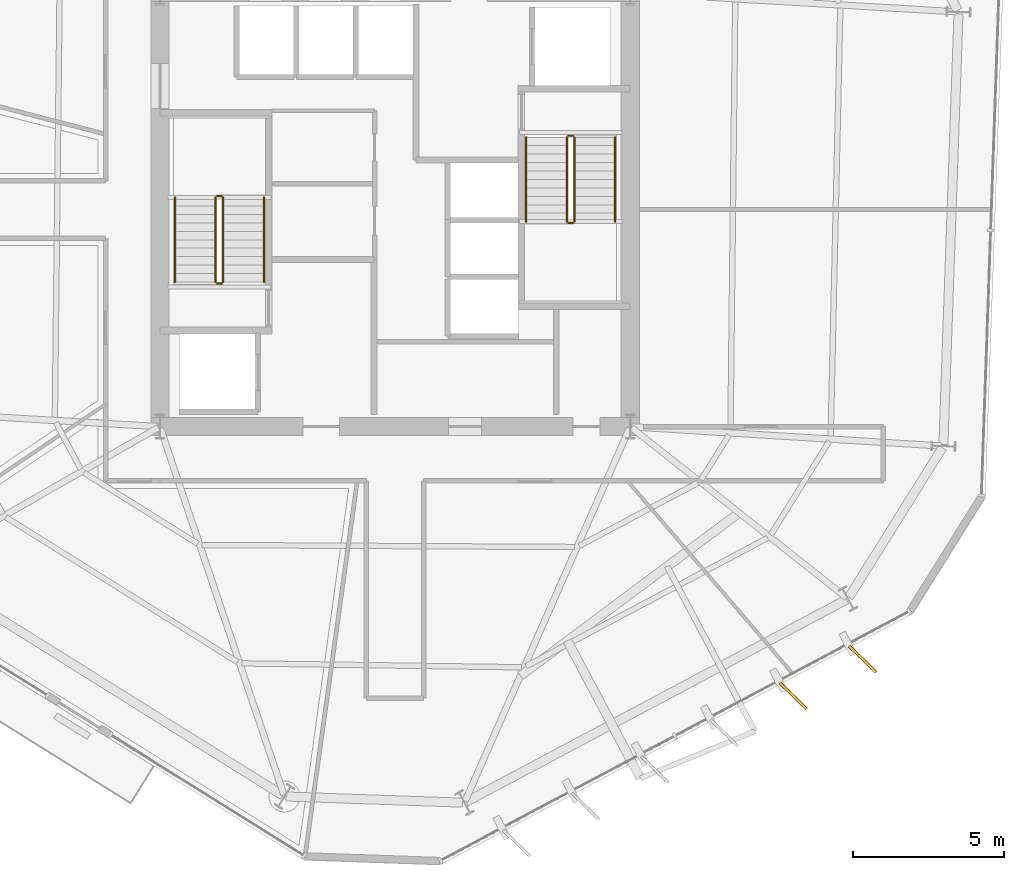
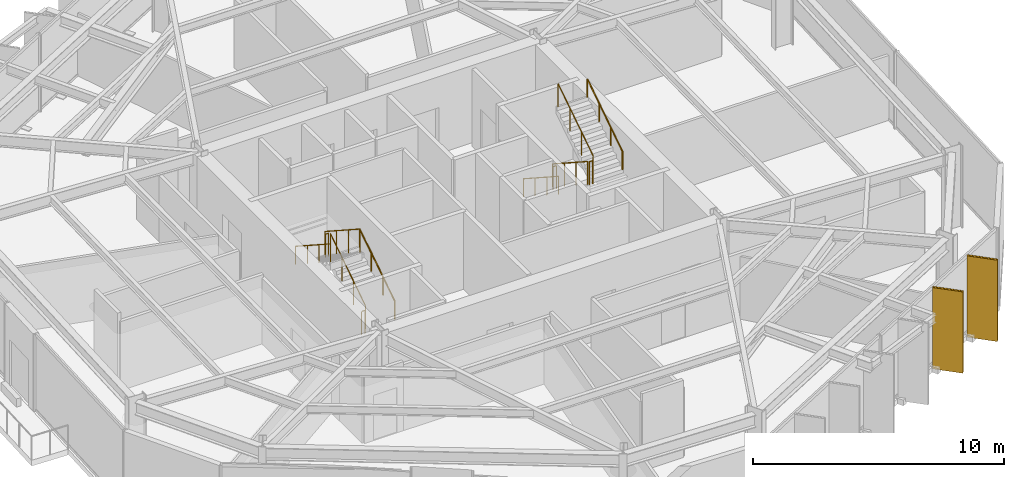
# One storey, part 11 of 12: 12 railings, 2 coverings, 2 shading devices.
"""IFC4 building model written with IfcOpenShell, lengths in metres."""

import ifcopenshell
import ifcopenshell.guid

model = None  # the IFC model being written
_history = None  # IfcOwnerHistory: only IFC2X3 demands one
_inside = {}  # id of a spatial element -> (the spatial element, [elements in it])
_under = {}  # id of a project, library or spatial element -> (it, [spatial elements below it])
_declared = {}  # id of a project -> (the project, [libraries it declares])
_typed = {}  # id of a type object -> (the type object, [elements of that type])
_made_of = {}  # id of a material, layer set ... -> (it, [elements and type objects made of it])


def new_model(schema):
    """Start an empty IFC model of exactly this schema.

    Asked for "IFC4X3", IfcOpenShell would pick the latest addendum, in which some entities
    have other attributes; the version numbers below select the first issue.
    IFC2X3 requires an IfcOwnerHistory on every rooted entity: one is made here for all.
    """
    global model, _history
    if schema == "IFC4X3":
        model = ifcopenshell.file(schema_version=(4, 3, 0, 0))
    else:
        model = ifcopenshell.file(schema=schema)
    _inside.clear()
    _under.clear()
    _declared.clear()
    _typed.clear()
    _made_of.clear()
    _history = None
    if model.schema == "IFC2X3":
        org = make("IfcOrganization", Name="unknown")
        user = make(
            "IfcPersonAndOrganization",
            ThePerson=make("IfcPerson", FamilyName="unknown"),
            TheOrganization=org,
        )
        app = make(
            "IfcApplication",
            ApplicationDeveloper=org,
            Version="unknown",
            ApplicationFullName="unknown",
            ApplicationIdentifier="unknown",
        )
        _history = make(
            "IfcOwnerHistory",
            OwningUser=user,
            OwningApplication=app,
            ChangeAction="ADDED",
            CreationDate=0,
        )
    return model


def make(cls, **values):
    """One entity of the class cls with the attributes given. An attribute that is None is left unset."""
    return model.create_entity(
        cls, **{name: value for name, value in values.items() if value is not None}
    )


def rooted(cls, **values):
    """An entity with a GlobalId (a new one), such as an element, a storey or a relation."""
    return make(cls, GlobalId=ifcopenshell.guid.new(), OwnerHistory=_history, **values)


def si_unit(unit_type, name, prefix=None):
    """IfcSIUnit, for example si_unit("LENGTHUNIT", "METRE", prefix="MILLI")."""
    return make("IfcSIUnit", UnitType=unit_type, Prefix=prefix, Name=name)


def assignment(units):
    """IfcUnitAssignment: the units of a project."""
    return None if units is None else make("IfcUnitAssignment", Units=units)


def point(xyz):
    """IfcCartesianPoint."""
    return None if xyz is None else make("IfcCartesianPoint", Coordinates=xyz)


def direction(xyz):
    """IfcDirection."""
    return None if xyz is None else make("IfcDirection", DirectionRatios=xyz)


def frame(location, z_axis=None, x_axis=None):
    """IfcAxis2Placement3D, a coordinate frame: its origin and axes. An axis left out is left unset."""
    return make(
        "IfcAxis2Placement3D",
        Location=point(location),
        Axis=direction(z_axis),
        RefDirection=direction(x_axis),
    )


def frame_2d(location, x_axis=None):
    """IfcAxis2Placement2D, a coordinate frame in the plane: its origin and x axis."""
    return make(
        "IfcAxis2Placement2D", Location=point(location), RefDirection=direction(x_axis)
    )


def origin():
    """The frame at (0, 0, 0) with its axes left unset."""
    return frame((0.0, 0.0, 0.0))


def origin_2d():
    """The frame at (0, 0) in the plane with its x axis left unset."""
    return frame_2d((0.0, 0.0))


def place(relative_to, where):
    """IfcLocalPlacement: puts the frame where relative to a parent placement (None: the world)."""
    return make(
        "IfcLocalPlacement", PlacementRelTo=relative_to, RelativePlacement=where
    )


def context(
    kind, dimensions, precision=None, world=None, true_north=None, identifier=None
):
    """IfcGeometricRepresentationContext, for example the 3D "Model" context."""
    return make(
        "IfcGeometricRepresentationContext",
        ContextIdentifier=identifier,
        ContextType=kind,
        CoordinateSpaceDimension=dimensions,
        Precision=precision,
        WorldCoordinateSystem=world,
        TrueNorth=true_north,
    )


def subcontext(parent, identifier, kind, view, scale=None):
    """IfcGeometricRepresentationSubContext, for example "Body" below "Model"."""
    return make(
        "IfcGeometricRepresentationSubContext",
        ContextIdentifier=identifier,
        ContextType=kind,
        ParentContext=parent,
        TargetScale=scale,
        TargetView=view,
    )


def project(units=None, contexts=None):
    """IfcProject with its units and contexts."""
    return rooted(
        "IfcProject",
        Name="project",
        RepresentationContexts=contexts,
        UnitsInContext=assignment(units),
    )


def spatial(cls, under=None, at=None, **own):
    """A site, building, storey or space (cls), placed at a placement, below another one or the project."""
    s = rooted(cls, ObjectPlacement=at, **own)
    if under is not None:
        _under.setdefault(under.id(), (under, []))[1].append(s)
    return s


def profile(cls, at=None, kind="AREA", **sizes):
    """A parametric profile (cls). Its sizes go by their IFC names, for example OverallWidth=200.0."""
    return make(cls, ProfileType=kind, Position=at, **sizes)


def rectangle(**sizes):
    """IfcRectangleProfileDef."""
    return profile("IfcRectangleProfileDef", **sizes)


def circle(**sizes):
    """IfcCircleProfileDef."""
    return profile("IfcCircleProfileDef", **sizes)


def extrude(swept, where, along, depth):
    """IfcExtrudedAreaSolid: the profile swept, set in the frame where, extruded along a direction by depth."""
    return make(
        "IfcExtrudedAreaSolid",
        SweptArea=swept,
        Position=where,
        ExtrudedDirection=direction(along),
        Depth=depth,
    )


def shape(context_of_items, identifier, shape_type, items):
    """IfcShapeRepresentation: the items that make up one representation, for example the "Body"."""
    return make(
        "IfcShapeRepresentation",
        ContextOfItems=context_of_items,
        RepresentationIdentifier=identifier,
        RepresentationType=shape_type,
        Items=items,
    )


def material(Name=None, Category=None):
    """IfcMaterial."""
    return make("IfcMaterial", Name=Name, Category=Category)


def layer(
    of_material, thickness, ventilated=None, Name=None, Category=None, Priority=None
):
    """IfcMaterialLayer: one layer of a wall or slab, of a material (None: an air gap)."""
    return make(
        "IfcMaterialLayer",
        Material=of_material,
        LayerThickness=thickness,
        IsVentilated=ventilated,
        Name=Name,
        Category=Category,
        Priority=Priority,
    )


def layer_set(layers, Name=None):
    """IfcMaterialLayerSet."""
    return make("IfcMaterialLayerSet", MaterialLayers=layers, LayerSetName=Name)


def made_of(thing, what):
    """Note that an element or type object is made of a material, layer set ...; save() writes the relation."""
    if what is not None:
        _made_of.setdefault(what.id(), (what, []))[1].append(thing)
    return thing


def type_object(cls, material=None, **own):
    """A type object (cls), such as IfcWallType, which elements share."""
    return made_of(rooted(cls, **own), material)


def element(
    cls,
    number,
    at=None,
    inside=None,
    cuts=None,
    type_object=None,
    material=None,
    context=None,
    identifier="Body",
    shape_type=None,
    held_by="IfcProductDefinitionShape",
    body=None,
    shapes=None,
    **own,
):
    """One element of the class cls, such as IfcWall. Its Tag is "e" and its number.

    at: its placement. inside: the storey or other place that contains it. cuts: it is an
    opening in that element (IfcRelVoidsElement). A single representation is given by context,
    identifier, shape_type and body (its items); several are given by shapes. held_by: the class
    of the entity that holds the representations. save() writes the other relations.
    """
    e = rooted(cls, Tag="e%d" % number, ObjectPlacement=at, **own)
    if body is not None:
        shapes = [shape(context, identifier, shape_type, body)]
    if shapes is not None:
        e.Representation = make(held_by, Representations=shapes)
    if inside is not None:
        _inside.setdefault(inside.id(), (inside, []))[1].append(e)
    if cuts is not None:
        rooted(
            "IfcRelVoidsElement", RelatingBuildingElement=cuts, RelatedOpeningElement=e
        )
    if type_object is not None:
        _typed.setdefault(type_object.id(), (type_object, []))[1].append(e)
    return made_of(e, material)


def aggregate(whole, parts):
    """IfcRelAggregates: a whole, such as a stair, and the parts it consists of."""
    return rooted("IfcRelAggregates", RelatingObject=whole, RelatedObjects=parts)


def save(model, path):
    """Write the relations noted so far, then the file.

    IfcRelAggregates (storeys below a building ...), IfcRelContainedInSpatialStructure (elements
    in a storey), IfcRelDefinesByType, IfcRelAssociatesMaterial and IfcRelDeclares: one each for
    every whole, place, type object, material and project.
    """
    for whole, parts in _under.values():
        aggregate(whole, parts)
    for where, things in _inside.values():
        rooted(
            "IfcRelContainedInSpatialStructure",
            RelatedElements=things,
            RelatingStructure=where,
        )
    for kind, things in _typed.values():
        rooted("IfcRelDefinesByType", RelatedObjects=things, RelatingType=kind)
    for what, things in _made_of.values():
        rooted("IfcRelAssociatesMaterial", RelatedObjects=things, RelatingMaterial=what)
    for by, libraries in _declared.values():
        rooted("IfcRelDeclares", RelatingContext=by, RelatedDefinitions=libraries)
    model.write(path)


model = new_model("IFC4")

# Units and contexts
model_context = context("Model", 3, precision=1e-05, world=origin(), true_north=direction((0.0, 1.0)))
body_context = subcontext(model_context, "Body", "Model", "MODEL_VIEW")
ifc_project = project(units=[si_unit("LENGTHUNIT", "METRE"), si_unit("AREAUNIT", "SQUARE_METRE"), si_unit("VOLUMEUNIT", "CUBIC_METRE"), si_unit("PLANEANGLEUNIT", "RADIAN"), si_unit("MASSUNIT", "GRAM", prefix="KILO")], contexts=[model_context])

# Site, building, storey
site_placement = place(None, origin())
site = spatial("IfcSite", under=ifc_project, at=site_placement, CompositionType="ELEMENT")
building_placement = place(site_placement, origin())
building = spatial("IfcBuilding", under=site, at=building_placement, Name="Kranzbogen Civic Tower", CompositionType="ELEMENT")
storey_placement = place(building_placement, frame((0.0, 0.0, 134.39990234375)))
storey = spatial("IfcBuildingStorey", under=building, at=storey_placement, Name="L32", CompositionType="ELEMENT", Elevation=134.39990234375)

# Coverings
ifc_material_1 = material(Name="Pale Anodised Aluminium", Category="aluminium")
ifc_layer = layer(ifc_material_1, 0.02490234375, Name="Pale Anodised Aluminium")
ifc_layer_set = layer_set([ifc_layer], Name="Pale Anodised Aluminium")
covering_type = type_object("IfcCoveringType", Name="Anodised Aluminium Vertical Fin Cladding 25 mm", PredefinedType="CLADDING", material=ifc_layer_set)
for number, where, z_axis, x_axis, name in (
    (1, (38.2099609375, 8.868896484375, -0.139892578125), (0.0, 0.0, 1.0), (0.716338478666, -0.697752953403, 0.0), "L32 vertical fin pale-metal cladding F5-5"),
    (2, (40.506103515625, 10.089111328125, -0.139892578125), (0.0, 0.0, 1.0), (0.716338478666, -0.697752953403, 0.0), "L32 vertical fin pale-metal cladding F5-6"),
):
    element("IfcCovering", number, at=place(storey_placement, frame(where, z_axis=z_axis, x_axis=x_axis)), inside=storey, type_object=covering_type, Name=name, PredefinedType="CLADDING", context=body_context, shape_type="SweptSolid", body=[
        extrude(rectangle(XDim=1.25, YDim=0.10009765625, at=origin_2d()), origin(), (0.0, 0.0, 1.0), 3.9599609375),
    ])

# Shading devices
ifc_material_2 = material(Name="Anodised Bronze Aluminium", Category="aluminium")
shading_device_type = type_object("IfcShadingDeviceType", Name="Anodised Bronze Vertical Facade Fin 1250x80", PredefinedType="USERDEFINED", material=ifc_material_2)
for number, where, z_axis, x_axis, name in (
    (3, (38.2099609375, 8.868896484375, -0.139892578125), (0.0, 0.0, 1.0), (0.716338478666, -0.697752953403, 0.0), "L32 vertical exterior shading fin F5-5"),
    (4, (40.506103515625, 10.089111328125, -0.139892578125), (0.0, 0.0, 1.0), (0.716338478666, -0.697752953403, 0.0), "L32 vertical exterior shading fin F5-6"),
):
    element("IfcShadingDevice", number, at=place(storey_placement, frame(where, z_axis=z_axis, x_axis=x_axis)), inside=storey, type_object=shading_device_type, Name=name, ObjectType="FIN", PredefinedType="USERDEFINED", context=body_context, shape_type="SweptSolid", body=[
        extrude(rectangle(XDim=1.25, YDim=0.080078125, at=origin_2d()), origin(), (0.0, 0.0, 1.0), 3.9599609375),
    ])

# Railings
ifc_material_3 = material(Name="Steel S355", Category="steel")
railing_type_1 = type_object("IfcRailingType", Name="Internal Stair and Void Steel Guardrail 1150", PredefinedType="GUARDRAIL", material=ifc_material_3)
railing_1_placement = place(storey_placement, frame((19.300048828125, 22.60009765625, 0.181884765625)))
element("IfcRailing", 5, at=railing_1_placement, inside=storey, type_object=railing_type_1, Name="L32 ST-T1 stair guard 1", PredefinedType="GUARDRAIL", context=body_context, shape_type="SweptSolid", body=[
    extrude(circle(Radius=0.02392578125, at=origin_2d()), frame((0.0, 0.0, 1.1259765625), z_axis=(0.0, 0.83868413941, 0.544618136222), x_axis=(-1.0, 0.0, 0.0)), (0.0, 0.0, 1.0), 3.33837890625),
    extrude(circle(Radius=0.02099609375, at=origin_2d()), origin(), (0.0, 0.0, 1.0), 1.101806640625),
    extrude(circle(Radius=0.02099609375, at=origin_2d()), frame((0.0, 0.933349609375, 0.60595703125)), (0.0, 0.0, 1.0), 1.101806640625),
    extrude(circle(Radius=0.02099609375, at=origin_2d()), frame((0.0, 1.866455078125, 1.212158203125)), (0.0, 0.0, 1.0), 1.101806640625),
    extrude(circle(Radius=0.02099609375, at=origin_2d()), frame((0.0, 2.7998046875, 1.818115234375)), (0.0, 0.0, 1.0), 1.101806640625),
])
railing_2_placement = place(storey_placement, frame((19.25, 25.449951171875, 2.0)))
element("IfcRailing", 6, at=railing_2_placement, inside=storey, type_object=railing_type_1, Name="L32 ST-T1 stair guard 2", PredefinedType="GUARDRAIL", context=body_context, shape_type="SweptSolid", body=[
    extrude(circle(Radius=0.02392578125, at=origin_2d()), frame((0.0, 0.0, 1.1259765625), z_axis=(-1.0, 0.0, 0.0), x_axis=(0.0, -1.0, 0.0)), (0.0, 0.0, 1.0), 0.14990234375),
    extrude(circle(Radius=0.02099609375, at=origin_2d()), origin(), (0.0, 0.0, 1.0), 1.101806640625),
    extrude(circle(Radius=0.02099609375, at=origin_2d()), frame((-0.14990234375, 0.0, 0.0)), (0.0, 0.0, 1.0), 1.101806640625),
])
railing_3_placement = place(storey_placement, frame((19.050048828125, 25.39990234375, 2.181884765625)))
element("IfcRailing", 7, at=railing_3_placement, inside=storey, type_object=railing_type_1, Name="L32 ST-T1 stair guard 3", PredefinedType="GUARDRAIL", context=body_context, shape_type="SweptSolid", body=[
    extrude(circle(Radius=0.02392578125, at=origin_2d()), frame((0.0, 0.0, 1.1259765625), z_axis=(0.0, -0.83868413941, 0.544618136222), x_axis=(1.0, 0.0, 0.0)), (0.0, 0.0, 1.0), 3.33837890625),
    extrude(circle(Radius=0.02099609375, at=origin_2d()), origin(), (0.0, 0.0, 1.0), 1.101806640625),
    extrude(circle(Radius=0.02099609375, at=origin_2d()), frame((0.0, -0.933349609375, 0.60595703125)), (0.0, 0.0, 1.0), 1.101806640625),
    extrude(circle(Radius=0.02099609375, at=origin_2d()), frame((0.0, -1.866455078125, 1.212158203125)), (0.0, 0.0, 1.0), 1.101806640625),
    extrude(circle(Radius=0.02099609375, at=origin_2d()), frame((0.0, -2.7998046875, 1.818115234375)), (0.0, 0.0, 1.0), 1.101806640625),
])
railing_4_placement = place(storey_placement, frame((19.25, 22.550048828125, 0.0)))
element("IfcRailing", 8, at=railing_4_placement, inside=storey, type_object=railing_type_1, Name="L32 ST-T1 stair guard 4", PredefinedType="GUARDRAIL", context=body_context, shape_type="SweptSolid", body=[
    extrude(circle(Radius=0.02392578125, at=origin_2d()), frame((0.0, 0.0, 1.1259765625), z_axis=(-1.0, 0.0, 0.0), x_axis=(0.0, -1.0, 0.0)), (0.0, 0.0, 1.0), 0.14990234375),
    extrude(circle(Radius=0.02099609375, at=origin_2d()), origin(), (0.0, 0.0, 1.0), 1.101806640625),
    extrude(circle(Radius=0.02099609375, at=origin_2d()), frame((-0.14990234375, 0.0, 0.0)), (0.0, 0.0, 1.0), 1.101806640625),
])
railing_5_placement = place(storey_placement, frame((30.699951171875, 27.39990234375, 0.181884765625)))
element("IfcRailing", 9, at=railing_5_placement, inside=storey, type_object=railing_type_1, Name="L32 ST-T2 stair guard 1", PredefinedType="GUARDRAIL", context=body_context, shape_type="SweptSolid", body=[
    extrude(circle(Radius=0.02392578125, at=origin_2d()), frame((0.0, 0.0, 1.1259765625), z_axis=(0.0, -0.83868413941, 0.544618136222), x_axis=(1.0, 0.0, 0.0)), (0.0, 0.0, 1.0), 3.33837890625),
    extrude(circle(Radius=0.02099609375, at=origin_2d()), origin(), (0.0, 0.0, 1.0), 1.101806640625),
    extrude(circle(Radius=0.02099609375, at=origin_2d()), frame((0.0, -0.933349609375, 0.60595703125)), (0.0, 0.0, 1.0), 1.101806640625),
    extrude(circle(Radius=0.02099609375, at=origin_2d()), frame((0.0, -1.866455078125, 1.212158203125)), (0.0, 0.0, 1.0), 1.101806640625),
    extrude(circle(Radius=0.02099609375, at=origin_2d()), frame((0.0, -2.7998046875, 1.818115234375)), (0.0, 0.0, 1.0), 1.101806640625),
])
railing_6_placement = place(storey_placement, frame((30.75, 24.550048828125, 2.0)))
element("IfcRailing", 10, at=railing_6_placement, inside=storey, type_object=railing_type_1, Name="L32 ST-T2 stair guard 2", PredefinedType="GUARDRAIL", context=body_context, shape_type="SweptSolid", body=[
    extrude(circle(Radius=0.02392578125, at=origin_2d()), frame((0.0, 0.0, 1.1259765625), z_axis=(1.0, 0.0, 0.0), x_axis=(0.0, 1.0, 0.0)), (0.0, 0.0, 1.0), 0.14990234375),
    extrude(circle(Radius=0.02099609375, at=origin_2d()), origin(), (0.0, 0.0, 1.0), 1.101806640625),
    extrude(circle(Radius=0.02099609375, at=origin_2d()), frame((0.14990234375, 0.0, 0.0)), (0.0, 0.0, 1.0), 1.101806640625),
])
railing_7_placement = place(storey_placement, frame((30.949951171875, 24.60009765625, 2.181884765625)))
element("IfcRailing", 11, at=railing_7_placement, inside=storey, type_object=railing_type_1, Name="L32 ST-T2 stair guard 3", PredefinedType="GUARDRAIL", context=body_context, shape_type="SweptSolid", body=[
    extrude(circle(Radius=0.02392578125, at=origin_2d()), frame((0.0, 0.0, 1.1259765625), z_axis=(0.0, 0.83868413941, 0.544618136222), x_axis=(-1.0, 0.0, 0.0)), (0.0, 0.0, 1.0), 3.33837890625),
    extrude(circle(Radius=0.02099609375, at=origin_2d()), origin(), (0.0, 0.0, 1.0), 1.101806640625),
    extrude(circle(Radius=0.02099609375, at=origin_2d()), frame((0.0, 0.933349609375, 0.60595703125)), (0.0, 0.0, 1.0), 1.101806640625),
    extrude(circle(Radius=0.02099609375, at=origin_2d()), frame((0.0, 1.866455078125, 1.212158203125)), (0.0, 0.0, 1.0), 1.101806640625),
    extrude(circle(Radius=0.02099609375, at=origin_2d()), frame((0.0, 2.7998046875, 1.818115234375)), (0.0, 0.0, 1.0), 1.101806640625),
])
railing_8_placement = place(storey_placement, frame((30.75, 27.449951171875, 0.0)))
element("IfcRailing", 12, at=railing_8_placement, inside=storey, type_object=railing_type_1, Name="L32 ST-T2 stair guard 4", PredefinedType="GUARDRAIL", context=body_context, shape_type="SweptSolid", body=[
    extrude(circle(Radius=0.02392578125, at=origin_2d()), frame((0.0, 0.0, 1.1259765625), z_axis=(1.0, 0.0, 0.0), x_axis=(0.0, 1.0, 0.0)), (0.0, 0.0, 1.0), 0.14990234375),
    extrude(circle(Radius=0.02099609375, at=origin_2d()), origin(), (0.0, 0.0, 1.0), 1.101806640625),
    extrude(circle(Radius=0.02099609375, at=origin_2d()), frame((0.14990234375, 0.0, 0.0)), (0.0, 0.0, 1.0), 1.101806640625),
])
railing_type_2 = type_object("IfcRailingType", Name="Tubular Stainless Stair Wall Handrail 900", PredefinedType="HANDRAIL", material=ifc_material_1)
railing_9_placement = place(storey_placement, frame((20.64990234375, 22.60009765625, 0.181884765625)))
element("IfcRailing", 13, at=railing_9_placement, inside=storey, type_object=railing_type_2, Name="L32 ST-T1 stair handrail 1", PredefinedType="HANDRAIL", context=body_context, shape_type="SweptSolid", body=[
    extrude(circle(Radius=0.02392578125, at=origin_2d()), frame((0.0, 0.0, 0.8759765625), z_axis=(0.0, 0.83868413941, 0.544618136222), x_axis=(-1.0, 0.0, 0.0)), (0.0, 0.0, 1.0), 3.33837890625),
    extrude(circle(Radius=0.02099609375, at=origin_2d()), origin(), (0.0, 0.0, 1.0), 0.851806640625),
    extrude(circle(Radius=0.02099609375, at=origin_2d()), frame((0.0, 0.933349609375, 0.60595703125)), (0.0, 0.0, 1.0), 0.851806640625),
    extrude(circle(Radius=0.02099609375, at=origin_2d()), frame((0.0, 1.866455078125, 1.212158203125)), (0.0, 0.0, 1.0), 0.851806640625),
    extrude(circle(Radius=0.02099609375, at=origin_2d()), frame((0.0, 2.7998046875, 1.818115234375)), (0.0, 0.0, 1.0), 0.851806640625),
])
for number, where, name in (
    (14, (17.699951171875, 25.39990234375, 2.181884765625), "L32 ST-T1 stair handrail 2"),
    (15, (29.35009765625, 27.39990234375, 0.181884765625), "L32 ST-T2 stair handrail 1"),
):
    element("IfcRailing", number, at=place(storey_placement, frame(where)), inside=storey, type_object=railing_type_2, Name=name, PredefinedType="HANDRAIL", context=body_context, shape_type="SweptSolid", body=[
        extrude(circle(Radius=0.02392578125, at=origin_2d()), frame((0.0, 0.0, 0.8759765625), z_axis=(0.0, -0.83868413941, 0.544618136222), x_axis=(1.0, 0.0, 0.0)), (0.0, 0.0, 1.0), 3.33837890625),
        extrude(circle(Radius=0.02099609375, at=origin_2d()), origin(), (0.0, 0.0, 1.0), 0.851806640625),
        extrude(circle(Radius=0.02099609375, at=origin_2d()), frame((0.0, -0.933349609375, 0.60595703125)), (0.0, 0.0, 1.0), 0.851806640625),
        extrude(circle(Radius=0.02099609375, at=origin_2d()), frame((0.0, -1.866455078125, 1.212158203125)), (0.0, 0.0, 1.0), 0.851806640625),
        extrude(circle(Radius=0.02099609375, at=origin_2d()), frame((0.0, -2.7998046875, 1.818115234375)), (0.0, 0.0, 1.0), 0.851806640625),
    ])
railing_10_placement = place(storey_placement, frame((32.300048828125, 24.60009765625, 2.181884765625)))
element("IfcRailing", 16, at=railing_10_placement, inside=storey, type_object=railing_type_2, Name="L32 ST-T2 stair handrail 2", PredefinedType="HANDRAIL", context=body_context, shape_type="SweptSolid", body=[
    extrude(circle(Radius=0.02392578125, at=origin_2d()), frame((0.0, 0.0, 0.8759765625), z_axis=(0.0, 0.83868413941, 0.544618136222), x_axis=(-1.0, 0.0, 0.0)), (0.0, 0.0, 1.0), 3.33837890625),
    extrude(circle(Radius=0.02099609375, at=origin_2d()), origin(), (0.0, 0.0, 1.0), 0.851806640625),
    extrude(circle(Radius=0.02099609375, at=origin_2d()), frame((0.0, 0.933349609375, 0.60595703125)), (0.0, 0.0, 1.0), 0.851806640625),
    extrude(circle(Radius=0.02099609375, at=origin_2d()), frame((0.0, 1.866455078125, 1.212158203125)), (0.0, 0.0, 1.0), 0.851806640625),
    extrude(circle(Radius=0.02099609375, at=origin_2d()), frame((0.0, 2.7998046875, 1.818115234375)), (0.0, 0.0, 1.0), 0.851806640625),
])

save(model, "model.ifc")
